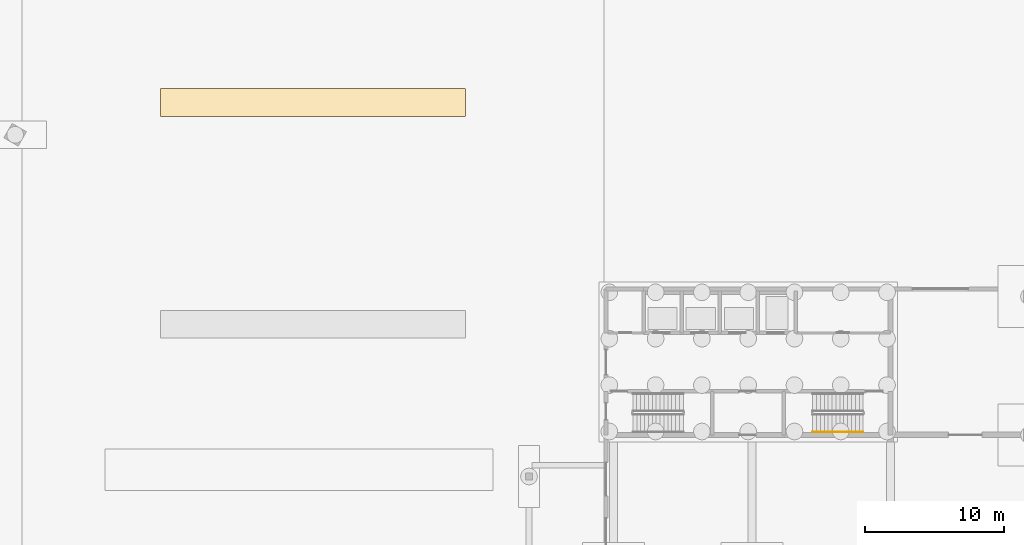
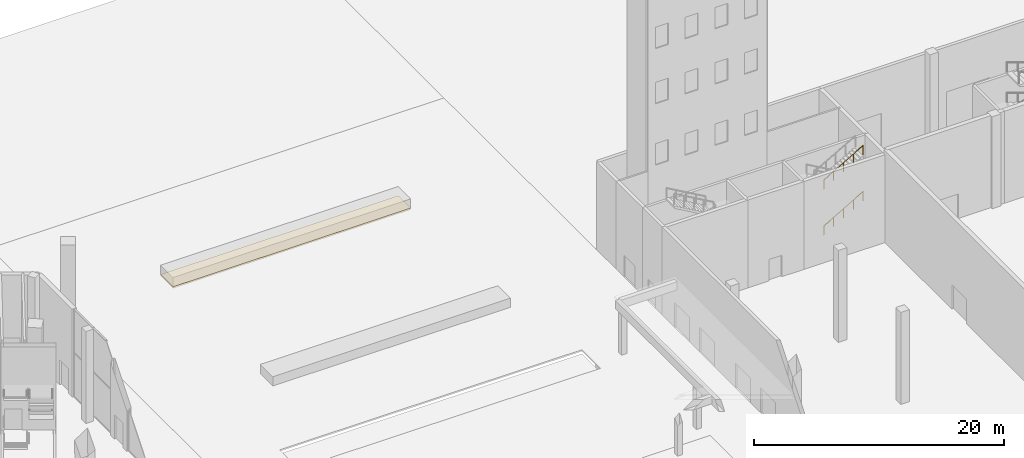
# One storey, part 59 of 63: 2 railings, 1 covering.
"""IFC4 building model written with IfcOpenShell, lengths in metres."""

from ifc_helpers import new_model, si_unit, direction, frame, origin, origin_2d, place, context, subcontext, project, spatial, polyline, circle, outline, extrude, material, layer, layer_set, type_object, element, save


model = new_model("IFC4")

# Units and contexts
model_context = context("Model", 3, precision=1e-05, world=origin(), true_north=direction((0.0, 1.0)))
body_context = subcontext(model_context, "Body", "Model", "MODEL_VIEW")
ifc_project = project(units=[si_unit("LENGTHUNIT", "METRE"), si_unit("AREAUNIT", "SQUARE_METRE"), si_unit("VOLUMEUNIT", "CUBIC_METRE"), si_unit("PLANEANGLEUNIT", "RADIAN"), si_unit("MASSUNIT", "GRAM", prefix="KILO")], contexts=[model_context])

# Site, building, storey
site_placement = place(None, origin())
site = spatial("IfcSite", under=ifc_project, at=site_placement, CompositionType="ELEMENT")
building_placement = place(site_placement, origin())
building = spatial("IfcBuilding", under=site, at=building_placement, Name="Jabali Bay Hotel Tower and Convention Centre", CompositionType="ELEMENT")
storey_placement = place(building_placement, origin())
storey = spatial("IfcBuildingStorey", under=building, at=storey_placement, Name="L00", CompositionType="ELEMENT", Elevation=0.0)

# Railings
ifc_material_1 = material(Name="Stainless steel 304", Category="steel")
railing_type = type_object("IfcRailingType", Name="CC Stair Handrail 900", PredefinedType="HANDRAIL", material=ifc_material_1)
for number, where, name in (
    (1, (165.0849609375, 100.22509765625, 2.41064453125), "L00 CC-STWB stair handrail 2"),
    (2, (165.0849609375, 100.22509765625, 6.91064453125), "L00 CC-STWB stair handrail 4"),
):
    element("IfcRailing", number, at=place(storey_placement, frame(where)), inside=storey, type_object=railing_type, Name=name, PredefinedType="HANDRAIL", context=body_context, shape_type="SweptSolid", body=[
        extrude(circle(Radius=0.02392578125, at=origin_2d()), frame((0.0, 0.0, 0.8759765625), z_axis=(0.867289372828, 0.0, 0.497804322781), x_axis=(0.0, 1.0, 0.0)), (0.0, 0.0, 1.0), 4.197021484375),
        extrude(circle(Radius=0.02099609375, at=origin_2d()), origin(), (0.0, 0.0, 1.0), 0.851806640625),
        extrude(circle(Radius=0.02099609375, at=origin_2d()), frame((0.91015625, 0.0, 0.5224609375)), (0.0, 0.0, 1.0), 0.851806640625),
        extrude(circle(Radius=0.02099609375, at=origin_2d()), frame((1.820068359375, 0.0, 1.044677734375)), (0.0, 0.0, 1.0), 0.851806640625),
        extrude(circle(Radius=0.02099609375, at=origin_2d()), frame((2.72998046875, 0.0, 1.56689453125)), (0.0, 0.0, 1.0), 0.851806640625),
        extrude(circle(Radius=0.02099609375, at=origin_2d()), frame((3.64013671875, 0.0, 2.08935546875)), (0.0, 0.0, 1.0), 0.851806640625),
    ])

# Covering
ifc_material_2 = material(Name="Precast concrete paving flags", Category="concrete")
ifc_layer = layer(ifc_material_2, 0.14990234375)
ifc_layer_set = layer_set([ifc_layer], Name="Precast concrete paving flags")
covering_type = type_object("IfcCoveringType", Name="SI Paving 150", PredefinedType="USERDEFINED", material=ifc_layer_set)
covering_placement = place(storey_placement, frame((0.0, 0.0, -0.14990234375)))
element("IfcCovering", 3, at=covering_placement, inside=storey, type_object=covering_type, Name="SI site paving 2", ObjectType="PAVING", PredefinedType="USERDEFINED", context=body_context, shape_type="SweptSolid", body=[
    extrude(outline(polyline([(140.0, 123.01806640625), (140.0, 123.02001953125), (140.0, 124.97998046875), (140.0, 124.98193359375), (139.99951171875, 124.98388671875), (139.9990234375, 124.98583984375), (139.99853515625, 124.987548828125), (139.99755859375, 124.989501953125), (139.99658203125, 124.9912109375), (139.995361328125, 124.99267578125), (139.994140625, 124.994140625), (139.99267578125, 124.995361328125), (139.9912109375, 124.99658203125), (139.989501953125, 124.99755859375), (139.987548828125, 124.99853515625), (139.98583984375, 124.9990234375), (139.98388671875, 124.99951171875), (139.98193359375, 125.0), (139.97998046875, 125.0), (118.02001953125, 125.0), (118.01806640625, 125.0), (118.01611328125, 124.99951171875), (118.01416015625, 124.9990234375), (118.012451171875, 124.99853515625), (118.010498046875, 124.99755859375), (118.0087890625, 124.99658203125), (118.00732421875, 124.995361328125), (118.005859375, 124.994140625), (118.004638671875, 124.99267578125), (118.00341796875, 124.9912109375), (118.00244140625, 124.989501953125), (118.00146484375, 124.987548828125), (118.0009765625, 124.98583984375), (118.00048828125, 124.98388671875), (118.0, 124.98193359375), (118.0, 124.97998046875), (118.0, 123.02001953125), (118.0, 123.01806640625), (118.00048828125, 123.01611328125), (118.0009765625, 123.01416015625), (118.00146484375, 123.012451171875), (118.00244140625, 123.010498046875), (118.00341796875, 123.0087890625), (118.004638671875, 123.00732421875), (118.005859375, 123.005859375), (118.00732421875, 123.004638671875), (118.0087890625, 123.00341796875), (118.010498046875, 123.00244140625), (118.012451171875, 123.00146484375), (118.01416015625, 123.0009765625), (118.01611328125, 123.00048828125), (118.01806640625, 123.0), (118.02001953125, 123.0), (139.97998046875, 123.0), (139.98193359375, 123.0), (139.98388671875, 123.00048828125), (139.98583984375, 123.0009765625), (139.987548828125, 123.00146484375), (139.989501953125, 123.00244140625), (139.9912109375, 123.00341796875), (139.99267578125, 123.004638671875), (139.994140625, 123.005859375), (139.995361328125, 123.00732421875), (139.99658203125, 123.0087890625), (139.99755859375, 123.010498046875), (139.99853515625, 123.012451171875), (139.9990234375, 123.01416015625), (139.99951171875, 123.01611328125), (140.0, 123.01806640625)])), origin(), (0.0, 0.0, 1.0), 0.14990234375),
])

save(model, "model.ifc")
